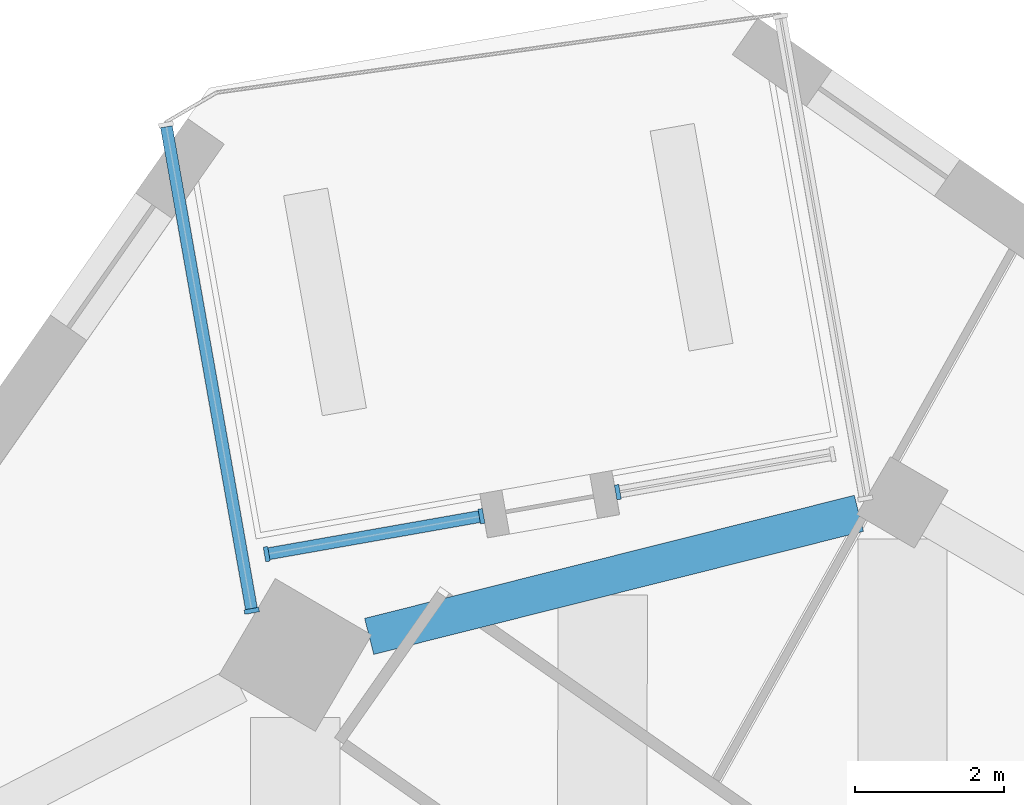
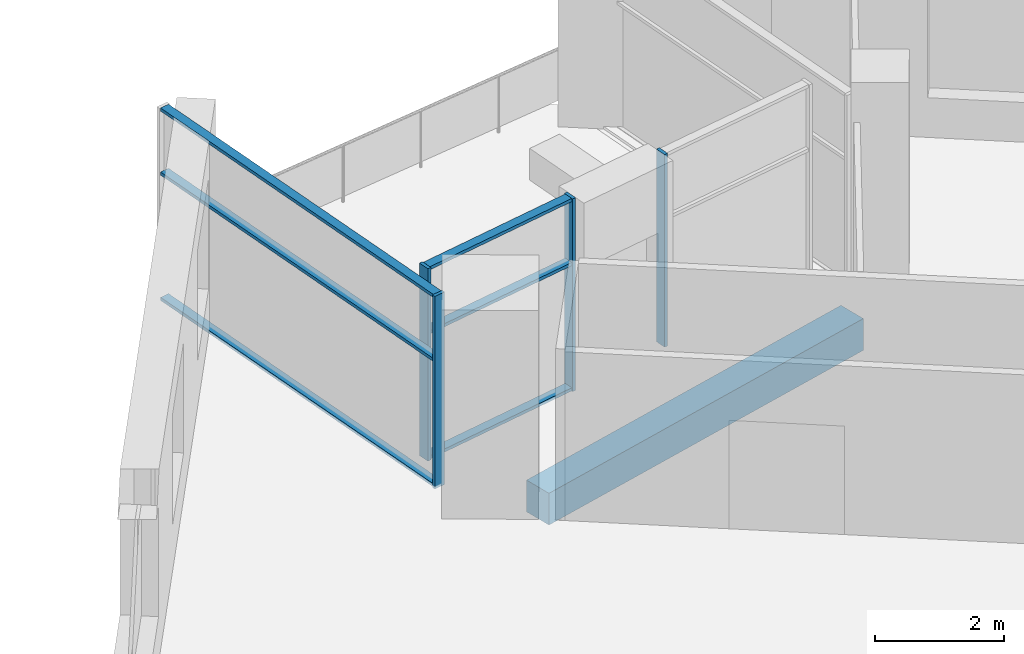
# One storey, part 2 of 13: 10 members, 1 beam, 3 elements without a shape of their own.
"""IFC4 building model written with IfcOpenShell, lengths in metres."""

from ifc_helpers import new_model, si_unit, direction, frame, origin, origin_2d, place, context, subcontext, project, spatial, rectangle, extrude, material, material_profile, profile_set, type_object, element, aggregate, save


model = new_model("IFC4")

# Units and contexts
model_context = context("Model", 3, precision=1e-05, world=origin(), true_north=direction((0.0, 1.0)))
body_context = subcontext(model_context, "Body", "Model", "MODEL_VIEW")
ifc_project = project(units=[si_unit("LENGTHUNIT", "METRE"), si_unit("AREAUNIT", "SQUARE_METRE"), si_unit("VOLUMEUNIT", "CUBIC_METRE"), si_unit("PLANEANGLEUNIT", "RADIAN"), si_unit("MASSUNIT", "GRAM", prefix="KILO")], contexts=[model_context])

# Site, building, storey
site_placement = place(None, origin())
site = spatial("IfcSite", under=ifc_project, at=site_placement, CompositionType="ELEMENT")
building_placement = place(site_placement, origin())
building = spatial("IfcBuilding", under=site, at=building_placement, Name="Dilmun Exchange Tower", CompositionType="ELEMENT")
storey_placement = place(building_placement, frame((0.0, 0.0, 246.89990234375)))
storey = spatial("IfcBuildingStorey", under=building, at=storey_placement, Name="L58", CompositionType="ELEMENT", Elevation=246.89990234375)

# Curtain wall, member
ifc_material_1 = material(Name="Anodised aluminium and clear glass", Category="aluminium")
curtain_wall_type = type_object("IfcCurtainWallType", Name="Garden corner glazing", PredefinedType="NOTDEFINED", material=ifc_material_1)
curtain_wall_1_placement = place(storey_placement, origin())
curtain_wall_1 = element("IfcCurtainWall", 1, at=curtain_wall_1_placement, inside=storey, type_object=curtain_wall_type, Name="Garden corner glazing run GC2.1", PredefinedType="NOTDEFINED")
ifc_material_2 = material(Name="Anodised aluminium", Category="aluminium")
ifc_material_profile_1 = material_profile(ifc_material_2, rectangle(XDim=0.199951171875, YDim=0.06005859375, at=origin_2d()), Name="AL 60x200")
ifc_profile_set_1 = profile_set([ifc_material_profile_1], Name="Anodised aluminium")
member_type_1 = type_object("IfcMemberType", Name="Garden corner glazing mullion 60 x 200", PredefinedType="MULLION", material=ifc_profile_set_1)
member_1_placement = place(storey_placement, frame((0.417236328125, 28.643798828125, 0.0), z_axis=(0.0, 0.0, 1.0), x_axis=(0.173630743351, -0.984810826993, 0.0)))
member_1 = element("IfcMember", 2, at=member_1_placement, type_object=member_type_1, Name="GC2.1 mullion 2", PredefinedType="MULLION", context=body_context, shape_type="SweptSolid", body=[
    extrude(rectangle(XDim=0.199951171875, YDim=0.06005859375, at=origin_2d()), origin(), (0.0, 0.0, 1.0), 3.64013671875),
])
aggregate(curtain_wall_1, [member_1])

# Curtain wall, members
curtain_wall_2_placement = place(storey_placement, origin())
curtain_wall_2 = element("IfcCurtainWall", 3, at=curtain_wall_2_placement, inside=storey, type_object=curtain_wall_type, Name="Garden corner glazing run GC2.3", PredefinedType="NOTDEFINED")
member_2_placement = place(storey_placement, frame((-1.41455078125, 28.32080078125, 0.0), z_axis=(0.0, 0.0, 1.0), x_axis=(0.173630743351, -0.984810826993, 0.0)))
member_2 = element("IfcMember", 4, at=member_2_placement, type_object=member_type_1, Name="GC2.3 mullion 1", PredefinedType="MULLION", context=body_context, shape_type="SweptSolid", body=[
    extrude(rectangle(XDim=0.199951171875, YDim=0.06005859375, at=origin_2d()), origin(), (0.0, 0.0, 1.0), 3.64013671875),
])
member_3_placement = place(storey_placement, frame((-4.299072265625, 27.81201171875, 0.0), z_axis=(0.0, 0.0, 1.0), x_axis=(0.173630743351, -0.984810826993, 0.0)))
member_3 = element("IfcMember", 5, at=member_3_placement, type_object=member_type_1, Name="GC2.3 mullion 2", PredefinedType="MULLION", context=body_context, shape_type="SweptSolid", body=[
    extrude(rectangle(XDim=0.199951171875, YDim=0.06005859375, at=origin_2d()), origin(), (0.0, 0.0, 1.0), 3.64013671875),
])

# Curtain wall, member
curtain_wall_3_placement = place(storey_placement, origin())
curtain_wall_3 = element("IfcCurtainWall", 6, at=curtain_wall_3_placement, inside=storey, type_object=curtain_wall_type, Name="Garden corner glazing run GC3.1", PredefinedType="NOTDEFINED")
member_4_placement = place(storey_placement, frame((-4.499755859375, 27.050048828125, 0.0), z_axis=(0.0, 0.0, 1.0), x_axis=(-0.984807317735, -0.173650646227, 0.0)))
member_4 = element("IfcMember", 7, at=member_4_placement, type_object=member_type_1, Name="GC3.1 mullion 1", PredefinedType="MULLION", context=body_context, shape_type="SweptSolid", body=[
    extrude(rectangle(XDim=0.199951171875, YDim=0.06005859375, at=origin_2d()), origin(), (0.0, 0.0, 1.0), 3.64013671875),
])

# Member
ifc_material_profile_2 = material_profile(ifc_material_2, rectangle(XDim=0.159912109375, YDim=0.06005859375, at=origin_2d()), Name="AL 60x160")
ifc_profile_set_2 = profile_set([ifc_material_profile_2], Name="Anodised aluminium")
member_type_2 = type_object("IfcMemberType", Name="Garden corner glazing transom 60 x 160", PredefinedType="USERDEFINED", material=ifc_profile_set_2)
member_5_placement = place(storey_placement, frame((-1.444091796875, 28.3154296875, 0.030029296875), z_axis=(-0.984816950826, -0.173596006194, 0.0), x_axis=(0.173596006194, -0.984816950826, 0.0)))
member_5 = element("IfcMember", 8, at=member_5_placement, type_object=member_type_2, Name="GC2.3 transom 1.1", ObjectType="TRANSOM", PredefinedType="USERDEFINED", context=body_context, shape_type="SweptSolid", body=[
    extrude(rectangle(XDim=0.159912109375, YDim=0.06005859375, at=origin_2d()), origin(), (0.0, 0.0, 1.0), 2.868896484375),
])

member_6_placement = place(storey_placement, frame((-1.444091796875, 28.3154296875, 2.400146484375), z_axis=(-0.984816950826, -0.173596006194, 0.0), x_axis=(0.173596006194, -0.984816950826, 0.0)))
member_6 = element("IfcMember", 9, at=member_6_placement, type_object=member_type_2, Name="GC2.3 transom 1.2", ObjectType="TRANSOM", PredefinedType="USERDEFINED", context=body_context, shape_type="SweptSolid", body=[
    extrude(rectangle(XDim=0.159912109375, YDim=0.06005859375, at=origin_2d()), origin(), (0.0, 0.0, 1.0), 2.868896484375),
])

member_7_placement = place(storey_placement, frame((-1.444091796875, 28.3154296875, 3.610107421875), z_axis=(-0.984816950826, -0.173596006194, 0.0), x_axis=(0.173596006194, -0.984816950826, 0.0)))
member_7 = element("IfcMember", 10, at=member_7_placement, type_object=member_type_2, Name="GC2.3 transom 1.3", ObjectType="TRANSOM", PredefinedType="USERDEFINED", context=body_context, shape_type="SweptSolid", body=[
    extrude(rectangle(XDim=0.159912109375, YDim=0.06005859375, at=origin_2d()), origin(), (0.0, 0.0, 1.0), 2.868896484375),
])

aggregate(curtain_wall_2, [member_2, member_3, member_5, member_6, member_7])

member_8_placement = place(storey_placement, frame((-4.505126953125, 27.07958984375, 0.030029296875), z_axis=(-0.173632748143, 0.984810473529, 0.0), x_axis=(-0.984810473529, -0.173632748143, 0.0)))
member_8 = element("IfcMember", 11, at=member_8_placement, type_object=member_type_2, Name="GC3.1 transom 1.1", ObjectType="TRANSOM", PredefinedType="USERDEFINED", context=body_context, shape_type="SweptSolid", body=[
    extrude(rectangle(XDim=0.159912109375, YDim=0.06005859375, at=origin_2d()), origin(), (0.0, 0.0, 1.0), 6.572021484375),
])

member_9_placement = place(storey_placement, frame((-4.505126953125, 27.07958984375, 2.400146484375), z_axis=(-0.173632748143, 0.984810473529, 0.0), x_axis=(-0.984810473529, -0.173632748143, 0.0)))
member_9 = element("IfcMember", 12, at=member_9_placement, type_object=member_type_2, Name="GC3.1 transom 1.2", ObjectType="TRANSOM", PredefinedType="USERDEFINED", context=body_context, shape_type="SweptSolid", body=[
    extrude(rectangle(XDim=0.159912109375, YDim=0.06005859375, at=origin_2d()), origin(), (0.0, 0.0, 1.0), 6.572021484375),
])

member_10_placement = place(storey_placement, frame((-4.505126953125, 27.07958984375, 3.610107421875), z_axis=(-0.173632748143, 0.984810473529, 0.0), x_axis=(-0.984810473529, -0.173632748143, 0.0)))
member_10 = element("IfcMember", 13, at=member_10_placement, type_object=member_type_2, Name="GC3.1 transom 1.3", ObjectType="TRANSOM", PredefinedType="USERDEFINED", context=body_context, shape_type="SweptSolid", body=[
    extrude(rectangle(XDim=0.159912109375, YDim=0.06005859375, at=origin_2d()), origin(), (0.0, 0.0, 1.0), 6.572021484375),
])

aggregate(curtain_wall_3, [member_4, member_8, member_9, member_10])

# Beam
ifc_material_3 = material(Name="Concrete C40/50", Category="concrete")
ifc_material_profile_3 = material_profile(ifc_material_3, rectangle(XDim=0.5, YDim=0.60009765625, at=origin_2d()), Name="500 x 600")
ifc_profile_set_3 = profile_set([ifc_material_profile_3], Name="Concrete C40/50")
beam_type = type_object("IfcBeamType", Name="RC ring beam 500 x 600 C40/50", PredefinedType="SPANDREL", material=ifc_profile_set_3)
beam_placement = place(storey_placement, frame((3.6552734375, 28.359130859375, -0.659912109375), z_axis=(-0.969853854997, -0.243687299522, 0.0), x_axis=(0.243687299522, -0.969853854997, 0.0)))
element("IfcBeam", 14, at=beam_placement, inside=storey, type_object=beam_type, Name="Ring beam 16", PredefinedType="SPANDREL", context=body_context, shape_type="SweptSolid", body=[
    extrude(rectangle(XDim=0.5, YDim=0.60009765625, at=origin_2d()), origin(), (0.0, 0.0, 1.0), 6.78271484375),
])

save(model, "model.ifc")
